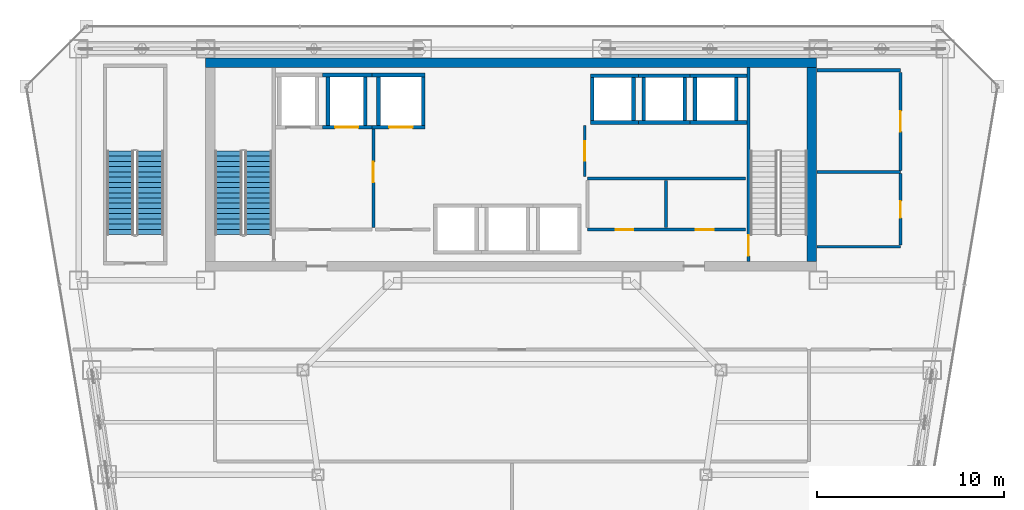
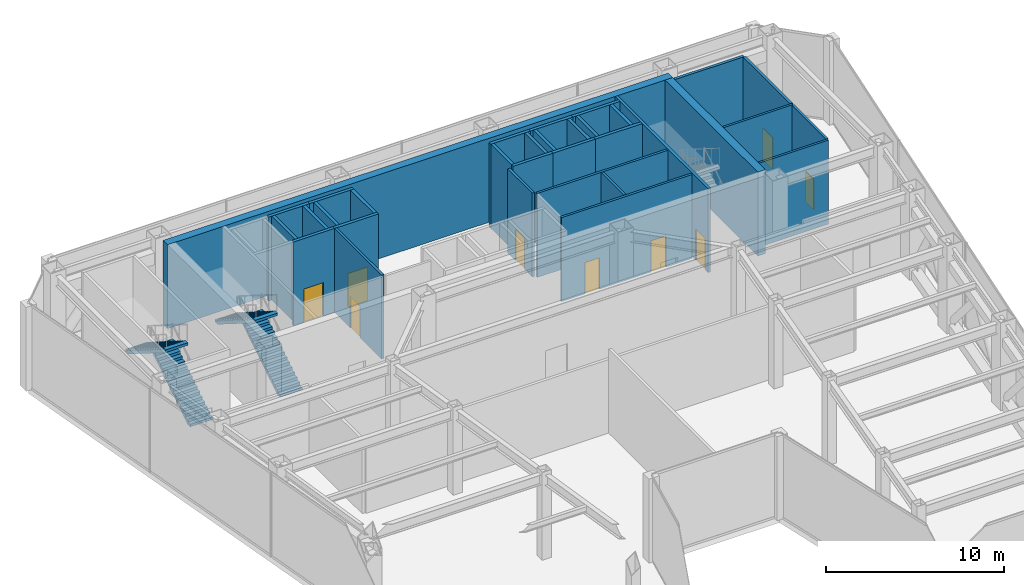
# One storey, part 26 of 30: 33 walls, 9 doors, 4 stair flights, 9 openings, 2 elements without a shape of their own.
"""IFC4 building model written with IfcOpenShell, lengths in metres."""

from ifc_helpers import new_model, si_unit, direction, frame, frame_2d, origin, place, context, subcontext, project, spatial, polyline, rectangle, outline, extrude, material, layer, layer_set, type_object, element, fill, aggregate, save


model = new_model("IFC4")

# Units and contexts
model_context = context("Model", 3, precision=1e-05, world=origin(), true_north=direction((0.0, 1.0)))
body_context = subcontext(model_context, "Body", "Model", "MODEL_VIEW")
ifc_project = project(units=[si_unit("LENGTHUNIT", "METRE"), si_unit("AREAUNIT", "SQUARE_METRE"), si_unit("VOLUMEUNIT", "CUBIC_METRE"), si_unit("PLANEANGLEUNIT", "RADIAN"), si_unit("MASSUNIT", "GRAM", prefix="KILO")], contexts=[model_context])

# Site, building, storey
site_placement = place(None, origin())
site = spatial("IfcSite", under=ifc_project, at=site_placement, CompositionType="ELEMENT")
building_placement = place(site_placement, origin())
building = spatial("IfcBuilding", under=site, at=building_placement, Name="Saevonmaru Cultural Tower", CompositionType="ELEMENT")
storey_placement = place(building_placement, frame((0.0, 0.0, 123.60009765625)))
storey = spatial("IfcBuildingStorey", under=building, at=storey_placement, Name="L26", CompositionType="ELEMENT", Elevation=123.60009765625)

# Walls
ifc_material_1 = material(Name="Concrete C60/75", Category="concrete")
ifc_layer_1 = layer(ifc_material_1, 0.5, Name="Concrete C60/75")
ifc_layer_set_1 = layer_set([ifc_layer_1], Name="Concrete C60/75")
wall_type_1 = type_object("IfcWallType", Name="WL-CORE-500", PredefinedType="SHEAR", material=ifc_layer_set_1)
wall_1_placement = place(storey_placement, frame((13.60009765625, 54.050048828125, 0.0), z_axis=(0.0, 0.0, 1.0), x_axis=(1.0, 0.0, 0.0)))
element("IfcWall", 1, at=wall_1_placement, inside=storey, type_object=wall_type_1, Name="L26 Tower RC core shear wall N", PredefinedType="SHEAR", context=body_context, shape_type="SweptSolid", body=[
    extrude(rectangle(XDim=32.699951171875, YDim=0.5, at=frame_2d((16.35009765625, 0.0))), origin(), (0.0, 0.0, 1.0), 5.75),
])
wall_2_placement = place(storey_placement, frame((46.050048828125, 43.39990234375, 0.0), z_axis=(0.0, 0.0, 1.0), x_axis=(0.0, 1.0, 0.0)))
element("IfcWall", 2, at=wall_2_placement, inside=storey, type_object=wall_type_1, Name="L26 Tower RC core shear wall E", PredefinedType="SHEAR", context=body_context, shape_type="SweptSolid", body=[
    extrude(rectangle(XDim=10.400146484375, YDim=0.5, at=frame_2d((5.2001953125, 0.0))), origin(), (0.0, 0.0, 1.0), 5.75),
])

# Wall, opening, door
ifc_material_2 = material(Name="Gypsum Fireboard Partition", Category="gypsum")
ifc_layer_2 = layer(ifc_material_2, 0.14990234375, Name="Gypsum Fireboard Partition")
ifc_layer_set_2 = layer_set([ifc_layer_2], Name="Gypsum Fireboard Partition")
wall_type_2 = type_object("IfcWallType", Name="WL-CORE-PART-150", PredefinedType="PARTITIONING", material=ifc_layer_set_2)
wall_3_placement = place(storey_placement, frame((22.580078125, 50.550048828125, 0.0), z_axis=(0.0, 0.0, 1.0), x_axis=(0.0, -1.0, 0.0)))
wall_3 = element("IfcWall", 3, at=wall_3_placement, inside=storey, type_object=wall_type_2, Name="L26 Firefighting Lift Lobby East Wall", PredefinedType="PARTITIONING", context=body_context, shape_type="SweptSolid", body=[
    extrude(rectangle(XDim=5.330078125, YDim=0.14990234375, at=frame_2d((2.6650390625, 0.0))), origin(), (0.0, 0.0, 1.0), 5.75),
])
opening_1_placement = place(wall_3_placement, frame((1.800048828125, 0.0, 0.0)))
opening_1 = element("IfcOpeningElement", 4, at=opening_1_placement, cuts=wall_3, Name="Opening FD-2", PredefinedType="OPENING", context=body_context, shape_type="SweptSolid", body=[
    extrude(rectangle(XDim=1.10009765625, YDim=2.14990234375, at=frame_2d((0.550048828125, 1.074951171875))), frame((0.0, 0.0849609375, 0.0), z_axis=(0.0, -1.0, 0.0), x_axis=(1.0, 0.0, 0.0)), (0.0, 0.0, 1.0), 0.169921875),
])
ifc_material_3 = material(Name="Satin Bronze Anodised Aluminium", Category="aluminium")
door_type_1 = type_object("IfcDoorType", Name="DR-FD60-1100", OperationType="SINGLE_SWING_LEFT", PredefinedType="DOOR", material=ifc_material_3)
door_1_placement = place(opening_1_placement, origin())
door_1 = element("IfcDoor", 5, at=door_1_placement, inside=storey, type_object=door_type_1, Name="L26 Firefighting Lift Lobby East Door", OperationType="SINGLE_SWING_LEFT", OverallHeight=2.14990234375, OverallWidth=1.10009765625, PredefinedType="DOOR", context=body_context, shape_type="SweptSolid", body=[
    extrude(rectangle(XDim=1.10009765625, YDim=2.14990234375, at=frame_2d((0.550048828125, 1.074951171875))), frame((0.0, 0.02490234375, 0.0), z_axis=(0.0, -1.0, 0.0), x_axis=(1.0, 0.0, 0.0)), (0.0, 0.0, 1.0), 0.050048828125),
])
fill(opening_1, door_1)

wall_4_placement = place(storey_placement, frame((33.89990234375, 47.949951171875, 0.0), z_axis=(0.0, 0.0, 1.0), x_axis=(0.0, 1.0, 0.0)))
wall_4 = element("IfcWall", 6, at=wall_4_placement, inside=storey, type_object=wall_type_2, Name="L26 Zone Lobby Divider", PredefinedType="PARTITIONING", context=body_context, shape_type="SweptSolid", body=[
    extrude(rectangle(XDim=2.75, YDim=0.14990234375, at=frame_2d((1.375, 0.0))), origin(), (0.0, 0.0, 1.0), 5.75),
])
opening_2_placement = place(wall_4_placement, frame((0.85009765625, 0.0, 0.0)))
opening_2 = element("IfcOpeningElement", 7, at=opening_2_placement, cuts=wall_4, Name="Opening ID-1", PredefinedType="OPENING", context=body_context, shape_type="SweptSolid", body=[
    extrude(rectangle(XDim=1.050048828125, YDim=2.14990234375, at=frame_2d((0.52490234375, 1.074951171875))), frame((0.0, 0.0849609375, 0.0), z_axis=(0.0, -1.0, 0.0), x_axis=(1.0, 0.0, 0.0)), (0.0, 0.0, 1.0), 0.169921875),
])
door_type_2 = type_object("IfcDoorType", Name="DR-INT-1050", OperationType="SINGLE_SWING_LEFT", PredefinedType="DOOR", material=ifc_material_3)
door_2_placement = place(opening_2_placement, origin())
door_2 = element("IfcDoor", 8, at=door_2_placement, inside=storey, type_object=door_type_2, Name="L26 Inter-Lobby Link Door", OperationType="SINGLE_SWING_LEFT", OverallHeight=2.14990234375, OverallWidth=1.050048828125, PredefinedType="DOOR", context=body_context, shape_type="SweptSolid", body=[
    extrude(rectangle(XDim=1.050048828125, YDim=2.14990234375, at=frame_2d((0.52490234375, 1.074951171875))), frame((0.0, 0.02490234375, 0.0), z_axis=(0.0, -1.0, 0.0), x_axis=(1.0, 0.0, 0.0)), (0.0, 0.0, 1.0), 0.050048828125),
])
fill(opening_2, door_2)

# Wall, openings, doors
wall_5_placement = place(storey_placement, frame((34.050048828125, 45.1201171875, 0.0), z_axis=(0.0, 0.0, 1.0), x_axis=(1.0, 0.0, 0.0)))
wall_5 = element("IfcWall", 9, at=wall_5_placement, inside=storey, type_object=wall_type_2, Name="L26 Core Plant South Wall", PredefinedType="PARTITIONING", context=body_context, shape_type="SweptSolid", body=[
    extrude(rectangle(XDim=8.449951171875, YDim=0.14990234375, at=frame_2d((4.22509765625, 0.0))), origin(), (0.0, 0.0, 1.0), 5.75),
])
opening_3_placement = place(wall_5_placement, frame((1.5, 0.0, 0.0)))
opening_3 = element("IfcOpeningElement", 10, at=opening_3_placement, cuts=wall_5, Name="Opening FD-4", PredefinedType="OPENING", context=body_context, shape_type="SweptSolid", body=[
    extrude(rectangle(XDim=0.949951171875, YDim=2.14990234375, at=frame_2d((0.47509765625, 1.074951171875))), frame((0.0, 0.0849609375, 0.0), z_axis=(0.0, -1.0, 0.0), x_axis=(1.0, 0.0, 0.0)), (0.0, 0.0, 1.0), 0.169921875),
])
opening_4_placement = place(wall_5_placement, frame((5.800048828125, 0.0, 0.0)))
opening_4 = element("IfcOpeningElement", 11, at=opening_4_placement, cuts=wall_5, Name="Opening FD-4", PredefinedType="OPENING", context=body_context, shape_type="SweptSolid", body=[
    extrude(rectangle(XDim=0.949951171875, YDim=2.14990234375, at=frame_2d((0.47509765625, 1.074951171875))), frame((0.0, 0.0849609375, 0.0), z_axis=(0.0, -1.0, 0.0), x_axis=(1.0, 0.0, 0.0)), (0.0, 0.0, 1.0), 0.169921875),
])
door_type_3 = type_object("IfcDoorType", Name="DR-FD60-950", OperationType="SINGLE_SWING_LEFT", PredefinedType="DOOR", material=ifc_material_3)
door_3_placement = place(opening_3_placement, origin())
door_3 = element("IfcDoor", 12, at=door_3_placement, inside=storey, type_object=door_type_3, Name="L26 Floor AHU Plant Door", OperationType="SINGLE_SWING_LEFT", OverallHeight=2.14990234375, OverallWidth=0.949951171875, PredefinedType="DOOR", context=body_context, shape_type="SweptSolid", body=[
    extrude(rectangle(XDim=0.949951171875, YDim=2.14990234375, at=frame_2d((0.47509765625, 1.074951171875))), frame((0.0, 0.02490234375, 0.0), z_axis=(0.0, -1.0, 0.0), x_axis=(1.0, 0.0, 0.0)), (0.0, 0.0, 1.0), 0.050048828125),
])
fill(opening_3, door_3)
door_4_placement = place(opening_4_placement, origin())
door_4 = element("IfcDoor", 13, at=door_4_placement, inside=storey, type_object=door_type_3, Name="L26 Housekeeping Storage Door", OperationType="SINGLE_SWING_LEFT", OverallHeight=2.14990234375, OverallWidth=0.949951171875, PredefinedType="DOOR", context=body_context, shape_type="SweptSolid", body=[
    extrude(rectangle(XDim=0.949951171875, YDim=2.14990234375, at=frame_2d((0.47509765625, 1.074951171875))), frame((0.0, 0.02490234375, 0.0), z_axis=(0.0, -1.0, 0.0), x_axis=(1.0, 0.0, 0.0)), (0.0, 0.0, 1.0), 0.050048828125),
])
fill(opening_4, door_4)

# Walls
wall_6_placement = place(storey_placement, frame((34.050048828125, 47.85009765625, 0.0), z_axis=(0.0, 0.0, 1.0), x_axis=(1.0, 0.0, 0.0)))
element("IfcWall", 14, at=wall_6_placement, inside=storey, type_object=wall_type_2, Name="L26 Core Plant North Wall", PredefinedType="PARTITIONING", context=body_context, shape_type="SweptSolid", body=[
    extrude(rectangle(XDim=8.449951171875, YDim=0.14990234375, at=frame_2d((4.22509765625, 0.0))), origin(), (0.0, 0.0, 1.0), 5.75),
])
wall_7_placement = place(storey_placement, frame((38.25, 45.219970703125, 0.0), z_axis=(0.0, 0.0, 1.0), x_axis=(0.0, 1.0, 0.0)))
element("IfcWall", 15, at=wall_7_placement, inside=storey, type_object=wall_type_2, Name="L26 Core Plant Split", PredefinedType="PARTITIONING", context=body_context, shape_type="SweptSolid", body=[
    extrude(rectangle(XDim=2.530029296875, YDim=0.14990234375, at=frame_2d((1.26513671875, 0.0))), origin(), (0.0, 0.0, 1.0), 5.75),
])
ifc_layer_3 = layer(ifc_material_2, 0.179931640625, Name="Gypsum Fireboard Partition")
ifc_layer_set_3 = layer_set([ifc_layer_3], Name="Gypsum Fireboard Partition")
wall_type_3 = type_object("IfcWallType", Name="WL-PART-PLANT-180", PredefinedType="PARTITIONING", material=ifc_layer_set_3)
wall_8_placement = place(storey_placement, frame((46.320068359375, 53.64990234375, 0.0), z_axis=(0.0, 0.0, 1.0), x_axis=(1.0, 0.0, 0.0)))
element("IfcWall", 16, at=wall_8_placement, inside=storey, type_object=wall_type_3, Name="L26 East Refuge North Wall", PredefinedType="PARTITIONING", context=body_context, shape_type="SweptSolid", body=[
    extrude(rectangle(XDim=4.47998046875, YDim=0.179931640625, at=frame_2d((2.239990234375, 0.0))), origin(), (0.0, 0.0, 1.0), 5.75),
])

# Wall, opening, door
wall_9_placement = place(storey_placement, frame((50.800048828125, 48.2900390625, 0.0), z_axis=(0.0, 0.0, 1.0), x_axis=(0.0, 1.0, 0.0)))
wall_9 = element("IfcWall", 17, at=wall_9_placement, inside=storey, type_object=wall_type_3, Name="L26 East Refuge Door Wall", PredefinedType="PARTITIONING", context=body_context, shape_type="SweptSolid", body=[
    extrude(rectangle(XDim=5.25, YDim=0.179931640625, at=frame_2d((2.625, 0.0))), origin(), (0.0, 0.0, 1.0), 5.75),
])
opening_5_placement = place(wall_9_placement, frame((2.074951171875, 0.0, 0.0)))
opening_5 = element("IfcOpeningElement", 18, at=opening_5_placement, cuts=wall_9, Name="Opening FD-2", PredefinedType="OPENING", context=body_context, shape_type="SweptSolid", body=[
    extrude(rectangle(XDim=1.10009765625, YDim=2.14990234375, at=frame_2d((0.550048828125, 1.074951171875))), frame((0.0, 0.10009765625, 0.0), z_axis=(0.0, -1.0, 0.0), x_axis=(1.0, 0.0, 0.0)), (0.0, 0.0, 1.0), 0.199951171875),
])
door_5_placement = place(opening_5_placement, origin())
door_5 = element("IfcDoor", 19, at=door_5_placement, inside=storey, type_object=door_type_1, Name="L26 East Refuge Area Fire Door", OperationType="SINGLE_SWING_LEFT", OverallHeight=2.14990234375, OverallWidth=1.10009765625, PredefinedType="DOOR", context=body_context, shape_type="SweptSolid", body=[
    extrude(rectangle(XDim=1.10009765625, YDim=2.14990234375, at=frame_2d((0.550048828125, 1.074951171875))), frame((0.0, 0.02490234375, 0.0), z_axis=(0.0, -1.0, 0.0), x_axis=(1.0, 0.0, 0.0)), (0.0, 0.0, 1.0), 0.050048828125),
])
fill(opening_5, door_5)

# Walls
ifc_layer_4 = layer(ifc_material_2, 0.139892578125, Name="Gypsum Fireboard Partition")
ifc_layer_set_4 = layer_set([ifc_layer_4], Name="Gypsum Fireboard Partition")
wall_type_4 = type_object("IfcWallType", Name="WL-PART-WET-140", PredefinedType="PARTITIONING", material=ifc_layer_set_4)
for number, where, z_axis, x_axis, name in (
    (20, (46.320068359375, 44.199951171875, 0.0), (0.0, 0.0, 1.0), (1.0, 0.0, 0.0), "L26 Refuge Washroom South Wall"),
    (21, (46.320068359375, 48.199951171875, 0.0), (0.0, 0.0, 1.0), (1.0, 0.0, 0.0), "L26 Refuge Washroom North Wall"),
):
    element("IfcWall", number, at=place(storey_placement, frame(where, z_axis=z_axis, x_axis=x_axis)), inside=storey, type_object=wall_type_4, Name=name, PredefinedType="PARTITIONING", context=body_context, shape_type="SweptSolid", body=[
        extrude(rectangle(XDim=4.47998046875, YDim=0.139892578125, at=frame_2d((2.239990234375, 0.0))), origin(), (0.0, 0.0, 1.0), 5.75),
    ])

# Wall, opening, door
wall_10_placement = place(storey_placement, frame((50.800048828125, 44.2900390625, 0.0), z_axis=(0.0, 0.0, 1.0), x_axis=(0.0, 1.0, 0.0)))
wall_10 = element("IfcWall", 22, at=wall_10_placement, inside=storey, type_object=wall_type_4, Name="L26 Refuge Washroom Door Wall", PredefinedType="PARTITIONING", context=body_context, shape_type="SweptSolid", body=[
    extrude(rectangle(XDim=3.820068359375, YDim=0.139892578125, at=frame_2d((1.91015625, 0.0))), origin(), (0.0, 0.0, 1.0), 5.75),
])
opening_6_placement = place(wall_10_placement, frame((1.4599609375, 0.0, 0.0)))
opening_6 = element("IfcOpeningElement", 23, at=opening_6_placement, cuts=wall_10, Name="Opening ID-2", PredefinedType="OPENING", context=body_context, shape_type="SweptSolid", body=[
    extrude(rectangle(XDim=0.89990234375, YDim=2.10009765625, at=frame_2d((0.449951171875, 1.050048828125))), frame((0.0, 0.080078125, 0.0), z_axis=(0.0, -1.0, 0.0), x_axis=(1.0, 0.0, 0.0)), (0.0, 0.0, 1.0), 0.159912109375),
])
ifc_material_4 = material(Name="Acoustic Stained Oak Timber", Category="wood")
door_type_4 = type_object("IfcDoorType", Name="DR-INT-900", OperationType="SINGLE_SWING_RIGHT", PredefinedType="DOOR", material=ifc_material_4)
door_6_placement = place(opening_6_placement, origin())
door_6 = element("IfcDoor", 24, at=door_6_placement, inside=storey, type_object=door_type_4, Name="L26 Refuge Accessible Washroom Door", OperationType="SINGLE_SWING_RIGHT", OverallHeight=2.10009765625, OverallWidth=0.89990234375, PredefinedType="DOOR", context=body_context, shape_type="SweptSolid", body=[
    extrude(rectangle(XDim=0.89990234375, YDim=2.10009765625, at=frame_2d((0.449951171875, 1.050048828125))), frame((0.0, 0.02490234375, 0.0), z_axis=(0.0, -1.0, 0.0), x_axis=(1.0, 0.0, 0.0)), (0.0, 0.0, 1.0), 0.050048828125),
])
fill(opening_6, door_6)

ifc_material_5 = material(Name="Concrete C40/50", Category="concrete")
ifc_layer_5 = layer(ifc_material_5, 0.199951171875, Name="Concrete C40/50")
ifc_layer_set_5 = layer_set([ifc_layer_5], Name="Concrete C40/50")
wall_type_5 = type_object("IfcWallType", Name="WL-SHAFT-200", PredefinedType="SHEAR", material=ifc_layer_set_5)
wall_11_placement = place(storey_placement, frame((19.85009765625, 50.60009765625, 0.0), z_axis=(0.0, 0.0, 1.0), x_axis=(1.0, 0.0, 0.0)))
wall_11 = element("IfcWall", 25, at=wall_11_placement, inside=storey, type_object=wall_type_5, Name="L26 Lift FFL-2 Hoistway Wall S", PredefinedType="SHEAR", context=body_context, shape_type="SweptSolid", body=[
    extrude(rectangle(XDim=2.64990234375, YDim=0.199951171875, at=frame_2d((1.324951171875, 0.0))), origin(), (0.0, 0.0, 1.0), 5.75),
])
opening_7_placement = place(wall_11_placement, frame((0.675048828125, 0.0, 0.0)))
opening_7 = element("IfcOpeningElement", 26, at=opening_7_placement, cuts=wall_11, Name="Opening LD-2", PredefinedType="OPENING", context=body_context, shape_type="SweptSolid", body=[
    extrude(rectangle(XDim=1.25, YDim=2.300048828125, at=frame_2d((0.625, 1.14990234375))), frame((0.0, 0.10986328125, 0.0), z_axis=(0.0, -1.0, 0.0), x_axis=(1.0, 0.0, 0.0)), (0.0, 0.0, 1.0), 0.219970703125),
])
ifc_material_6 = material(Name="Stainless Steel 316", Category="steel")
door_type_5 = type_object("IfcDoorType", Name="DR-LIFT-1250", OperationType="SLIDING_TO_LEFT", PredefinedType="DOOR", material=ifc_material_6)
door_7_placement = place(opening_7_placement, origin())
door_7 = element("IfcDoor", 27, at=door_7_placement, inside=storey, type_object=door_type_5, Name="L26 Lift FFL-2 Sliding Landing Door", OperationType="SLIDING_TO_LEFT", OverallHeight=2.300048828125, OverallWidth=1.25, PredefinedType="DOOR", context=body_context, shape_type="SweptSolid", body=[
    extrude(rectangle(XDim=1.25, YDim=2.300048828125, at=frame_2d((0.625, 1.14990234375))), frame((0.0, 0.02490234375, 0.0), z_axis=(0.0, -1.0, 0.0), x_axis=(1.0, 0.0, 0.0)), (0.0, 0.0, 1.0), 0.050048828125),
])
fill(opening_7, door_7)

# Walls
wall_12_placement = place(storey_placement, frame((19.85009765625, 53.39990234375, 0.0), z_axis=(0.0, 0.0, 1.0), x_axis=(1.0, 0.0, 0.0)))
element("IfcWall", 28, at=wall_12_placement, inside=storey, type_object=wall_type_5, Name="L26 Lift FFL-2 Hoistway Wall N", PredefinedType="SHEAR", context=body_context, shape_type="SweptSolid", body=[
    extrude(rectangle(XDim=2.64990234375, YDim=0.199951171875, at=frame_2d((1.324951171875, 0.0))), origin(), (0.0, 0.0, 1.0), 5.75),
])
for number, where, z_axis, x_axis, name in (
    (29, (20.14990234375, 50.699951171875, 0.0), (0.0, 0.0, 1.0), (0.0, 1.0, 0.0), "L26 Lift FFL-2 Hoistway Wall W"),
    (30, (22.14990234375, 50.699951171875, 0.0), (0.0, 0.0, 1.0), (0.0, 1.0, 0.0), "L26 Lift FFL-2 Hoistway Wall E"),
):
    element("IfcWall", number, at=place(storey_placement, frame(where, z_axis=z_axis, x_axis=x_axis)), inside=storey, type_object=wall_type_5, Name=name, PredefinedType="SHEAR", context=body_context, shape_type="SweptSolid", body=[
        extrude(rectangle(XDim=2.60009765625, YDim=0.199951171875, at=frame_2d((1.300048828125, 0.0))), origin(), (0.0, 0.0, 1.0), 5.75),
    ])

# Wall, opening, door
wall_13_placement = place(storey_placement, frame((22.5, 50.60009765625, 0.0), z_axis=(0.0, 0.0, 1.0), x_axis=(1.0, 0.0, 0.0)))
wall_13 = element("IfcWall", 31, at=wall_13_placement, inside=storey, type_object=wall_type_5, Name="L26 Lift GL-1 Hoistway Wall S", PredefinedType="SHEAR", context=body_context, shape_type="SweptSolid", body=[
    extrude(rectangle(XDim=2.85009765625, YDim=0.199951171875, at=frame_2d((1.425048828125, 0.0))), origin(), (0.0, 0.0, 1.0), 5.75),
])
opening_8_placement = place(wall_13_placement, frame((0.925048828125, 0.0, 0.0)))
opening_8 = element("IfcOpeningElement", 32, at=opening_8_placement, cuts=wall_13, Name="Opening LD-2", PredefinedType="OPENING", context=body_context, shape_type="SweptSolid", body=[
    extrude(rectangle(XDim=1.25, YDim=2.300048828125, at=frame_2d((0.625, 1.14990234375))), frame((0.0, 0.10986328125, 0.0), z_axis=(0.0, -1.0, 0.0), x_axis=(1.0, 0.0, 0.0)), (0.0, 0.0, 1.0), 0.219970703125),
])
door_8_placement = place(opening_8_placement, origin())
door_8 = element("IfcDoor", 33, at=door_8_placement, inside=storey, type_object=door_type_5, Name="L26 Lift GL-1 Sliding Landing Door", OperationType="SLIDING_TO_LEFT", OverallHeight=2.300048828125, OverallWidth=1.25, PredefinedType="DOOR", context=body_context, shape_type="SweptSolid", body=[
    extrude(rectangle(XDim=1.25, YDim=2.300048828125, at=frame_2d((0.625, 1.14990234375))), frame((0.0, 0.02490234375, 0.0), z_axis=(0.0, -1.0, 0.0), x_axis=(1.0, 0.0, 0.0)), (0.0, 0.0, 1.0), 0.050048828125),
])
fill(opening_8, door_8)

# Walls
wall_14_placement = place(storey_placement, frame((22.5, 53.39990234375, 0.0), z_axis=(0.0, 0.0, 1.0), x_axis=(1.0, 0.0, 0.0)))
element("IfcWall", 34, at=wall_14_placement, inside=storey, type_object=wall_type_5, Name="L26 Lift GL-1 Hoistway Wall N", PredefinedType="SHEAR", context=body_context, shape_type="SweptSolid", body=[
    extrude(rectangle(XDim=2.85009765625, YDim=0.199951171875, at=frame_2d((1.425048828125, 0.0))), origin(), (0.0, 0.0, 1.0), 5.75),
])
for number, where, z_axis, x_axis, name in (
    (35, (22.85009765625, 50.699951171875, 0.0), (0.0, 0.0, 1.0), (0.0, 1.0, 0.0), "L26 Lift GL-1 Hoistway Wall W"),
    (36, (25.25, 50.699951171875, 0.0), (0.0, 0.0, 1.0), (0.0, 1.0, 0.0), "L26 Lift GL-1 Hoistway Wall E"),
):
    element("IfcWall", number, at=place(storey_placement, frame(where, z_axis=z_axis, x_axis=x_axis)), inside=storey, type_object=wall_type_5, Name=name, PredefinedType="SHEAR", context=body_context, shape_type="SweptSolid", body=[
        extrude(rectangle(XDim=2.60009765625, YDim=0.199951171875, at=frame_2d((1.300048828125, 0.0))), origin(), (0.0, 0.0, 1.0), 5.75),
    ])
for number, where, z_axis, x_axis, name in (
    (37, (34.199951171875, 50.85009765625, 0.0), (0.0, 0.0, 1.0), (1.0, 0.0, 0.0), "L26 Lift PL-H1 Hoistway Wall S"),
    (38, (34.199951171875, 53.35009765625, 0.0), (0.0, 0.0, 1.0), (1.0, 0.0, 0.0), "L26 Lift PL-H1 Hoistway Wall N"),
):
    element("IfcWall", number, at=place(storey_placement, frame(where, z_axis=z_axis, x_axis=x_axis)), inside=storey, type_object=wall_type_5, Name=name, PredefinedType="SHEAR", context=body_context, shape_type="SweptSolid", body=[
        extrude(rectangle(XDim=2.574951171875, YDim=0.199951171875, at=frame_2d((1.28759765625, 0.0))), origin(), (0.0, 0.0, 1.0), 5.75),
    ])
for number, where, z_axis, x_axis, name in (
    (39, (34.300048828125, 50.949951171875, 0.0), (0.0, 0.0, 1.0), (0.0, 1.0, 0.0), "L26 Lift PL-H1 Hoistway Wall W"),
    (40, (36.5, 50.949951171875, 0.0), (0.0, 0.0, 1.0), (0.0, 1.0, 0.0), "L26 Lift PL-H1 Hoistway Wall E"),
):
    element("IfcWall", number, at=place(storey_placement, frame(where, z_axis=z_axis, x_axis=x_axis)), inside=storey, type_object=wall_type_5, Name=name, PredefinedType="SHEAR", context=body_context, shape_type="SweptSolid", body=[
        extrude(rectangle(XDim=2.300048828125, YDim=0.199951171875, at=frame_2d((1.14990234375, 0.0))), origin(), (0.0, 0.0, 1.0), 5.75),
    ])
for number, where, z_axis, x_axis, name in (
    (41, (36.77490234375, 50.85009765625, 0.0), (0.0, 0.0, 1.0), (1.0, 0.0, 0.0), "L26 Lift PL-H2 Hoistway Wall S"),
    (42, (36.77490234375, 53.35009765625, 0.0), (0.0, 0.0, 1.0), (1.0, 0.0, 0.0), "L26 Lift PL-H2 Hoistway Wall N"),
):
    element("IfcWall", number, at=place(storey_placement, frame(where, z_axis=z_axis, x_axis=x_axis)), inside=storey, type_object=wall_type_5, Name=name, PredefinedType="SHEAR", context=body_context, shape_type="SweptSolid", body=[
        extrude(rectangle(XDim=2.75, YDim=0.199951171875, at=frame_2d((1.375, 0.0))), origin(), (0.0, 0.0, 1.0), 5.75),
    ])
for number, where, z_axis, x_axis, name in (
    (43, (37.050048828125, 50.949951171875, 0.0), (0.0, 0.0, 1.0), (0.0, 1.0, 0.0), "L26 Lift PL-H2 Hoistway Wall W"),
    (44, (39.25, 50.949951171875, 0.0), (0.0, 0.0, 1.0), (0.0, 1.0, 0.0), "L26 Lift PL-H2 Hoistway Wall E"),
):
    element("IfcWall", number, at=place(storey_placement, frame(where, z_axis=z_axis, x_axis=x_axis)), inside=storey, type_object=wall_type_5, Name=name, PredefinedType="SHEAR", context=body_context, shape_type="SweptSolid", body=[
        extrude(rectangle(XDim=2.300048828125, YDim=0.199951171875, at=frame_2d((1.14990234375, 0.0))), origin(), (0.0, 0.0, 1.0), 5.75),
    ])
for number, where, z_axis, x_axis, name in (
    (45, (39.52490234375, 50.85009765625, 0.0), (0.0, 0.0, 1.0), (1.0, 0.0, 0.0), "L26 Lift PL-H3 Hoistway Wall S"),
    (46, (39.52490234375, 53.35009765625, 0.0), (0.0, 0.0, 1.0), (1.0, 0.0, 0.0), "L26 Lift PL-H3 Hoistway Wall N"),
):
    element("IfcWall", number, at=place(storey_placement, frame(where, z_axis=z_axis, x_axis=x_axis)), inside=storey, type_object=wall_type_5, Name=name, PredefinedType="SHEAR", context=body_context, shape_type="SweptSolid", body=[
        extrude(rectangle(XDim=3.045166015625, YDim=0.199951171875, at=frame_2d((1.5224609375, 0.0))), origin(), (0.0, 0.0, 1.0), 5.75),
    ])
for number, where, z_axis, x_axis, name in (
    (47, (39.800048828125, 50.949951171875, 0.0), (0.0, 0.0, 1.0), (0.0, 1.0, 0.0), "L26 Lift PL-H3 Hoistway Wall W"),
    (48, (42.0, 50.949951171875, 0.0), (0.0, 0.0, 1.0), (0.0, 1.0, 0.0), "L26 Lift PL-H3 Hoistway Wall E"),
):
    element("IfcWall", number, at=place(storey_placement, frame(where, z_axis=z_axis, x_axis=x_axis)), inside=storey, type_object=wall_type_5, Name=name, PredefinedType="SHEAR", context=body_context, shape_type="SweptSolid", body=[
        extrude(rectangle(XDim=2.300048828125, YDim=0.199951171875, at=frame_2d((1.14990234375, 0.0))), origin(), (0.0, 0.0, 1.0), 5.75),
    ])

# Wall, opening, door
ifc_layer_6 = layer(ifc_material_5, 0.179931640625, Name="Concrete C40/50")
ifc_layer_set_6 = layer_set([ifc_layer_6], Name="Concrete C40/50")
wall_type_6 = type_object("IfcWallType", Name="WL-STSHAFT-180", PredefinedType="SHEAR", material=ifc_layer_set_6)
wall_15_placement = place(storey_placement, frame((42.659912109375, 53.800048828125, 0.0), z_axis=(0.0, 0.0, 1.0), x_axis=(0.0, -1.0, 0.0)))
wall_15 = element("IfcWall", 49, at=wall_15_placement, inside=storey, type_object=wall_type_6, Name="L26 Stair ST-2 Structural Shaft Wall 1", PredefinedType="SHEAR", context=body_context, shape_type="SweptSolid", body=[
    extrude(rectangle(XDim=10.400146484375, YDim=0.179931640625, at=frame_2d((5.2001953125, 0.0))), origin(), (0.0, 0.0, 1.0), 5.75),
])
opening_9_placement = place(wall_15_placement, frame((8.989990234375, 0.0, 0.0)))
opening_9 = element("IfcOpeningElement", 50, at=opening_9_placement, cuts=wall_15, Name="Opening FD-2", PredefinedType="OPENING", context=body_context, shape_type="SweptSolid", body=[
    extrude(rectangle(XDim=1.10009765625, YDim=2.14990234375, at=frame_2d((0.550048828125, 1.074951171875))), frame((0.0, 0.10009765625, 0.0), z_axis=(0.0, -1.0, 0.0), x_axis=(1.0, 0.0, 0.0)), (0.0, 0.0, 1.0), 0.199951171875),
])
door_9_placement = place(opening_9_placement, origin())
door_9 = element("IfcDoor", 51, at=door_9_placement, inside=storey, type_object=door_type_1, Name="L26 Protected Stair ST-2 Fire Door", OperationType="SINGLE_SWING_LEFT", OverallHeight=2.14990234375, OverallWidth=1.10009765625, PredefinedType="DOOR", context=body_context, shape_type="SweptSolid", body=[
    extrude(rectangle(XDim=1.10009765625, YDim=2.14990234375, at=frame_2d((0.550048828125, 1.074951171875))), frame((0.0, 0.02490234375, 0.0), z_axis=(0.0, -1.0, 0.0), x_axis=(1.0, 0.0, 0.0)), (0.0, 0.0, 1.0), 0.050048828125),
])
fill(opening_9, door_9)

# Stair, stair flights
stair_type = type_object("IfcStairType", Name="STR-DOGLEG-RC", PredefinedType="HALF_TURN_STAIR", material=ifc_material_5)
stair_1_placement = place(storey_placement, origin())
stair_1 = element("IfcStair", 52, at=stair_1_placement, inside=storey, type_object=stair_type, Name="L26 Protected exit stair ST-1", PredefinedType="HALF_TURN_STAIR")
ifc_material_7 = material(Name="Precast concrete C40/50", Category="concrete")
stair_flight_type = type_object("IfcStairFlightType", Name="STF-PRECAST-180", PredefinedType="STRAIGHT", material=ifc_material_7)
stair_flight_1_placement = place(storey_placement, frame((16.425048828125, 44.85009765625, 0.0), z_axis=(0.0, 0.0, 1.0), x_axis=(0.0, 1.0, 0.0)))
stair_flight_1 = element("IfcStairFlight", 53, at=stair_flight_1_placement, type_object=stair_flight_type, Name="ST-1-L26 flight 1", NumberOfRisers=17, NumberOfTreads=16, PredefinedType="STRAIGHT", RiserHeight=0.176470588, TreadLength=0.28, context=body_context, shape_type="SweptSolid", body=[
    extrude(outline(polyline([(0.0, 0.0), (0.0, 0.176513671875), (0.280029296875, 0.176513671875), (0.280029296875, 0.35302734375), (0.56005859375, 0.35302734375), (0.56005859375, 0.529296875), (0.840087890625, 0.529296875), (0.840087890625, 0.705810546875), (1.1201171875, 0.705810546875), (1.1201171875, 0.88232421875), (1.39990234375, 0.88232421875), (1.39990234375, 1.058837890625), (1.679931640625, 1.058837890625), (1.679931640625, 1.2353515625), (1.9599609375, 1.2353515625), (1.9599609375, 1.411865234375), (2.239990234375, 1.411865234375), (2.239990234375, 1.588134765625), (2.52001953125, 1.588134765625), (2.52001953125, 1.7646484375), (2.800048828125, 1.7646484375), (2.800048828125, 1.941162109375), (3.080078125, 1.941162109375), (3.080078125, 2.11767578125), (3.360107421875, 2.11767578125), (3.360107421875, 2.294189453125), (3.639892578125, 2.294189453125), (3.639892578125, 2.470703125), (3.919921875, 2.470703125), (3.919921875, 2.64697265625), (4.199951171875, 2.64697265625), (4.199951171875, 2.823486328125), (4.47998046875, 2.823486328125), (4.47998046875, 3.0), (4.47998046875, 2.646240234375), (0.28125, 0.0), (0.0, 0.0)])), frame((0.0, 0.72509765625, 0.0), z_axis=(0.0, -1.0, 0.0), x_axis=(1.0, 0.0, 0.0)), (0.0, 0.0, 1.0), 1.449951171875),
])
stair_flight_2_placement = place(storey_placement, frame((14.824951171875, 49.330078125, 3.0), z_axis=(0.0, 0.0, 1.0), x_axis=(0.0, -1.0, 0.0)))
stair_flight_2 = element("IfcStairFlight", 54, at=stair_flight_2_placement, type_object=stair_flight_type, Name="ST-1-L26 flight 2", NumberOfRisers=17, NumberOfTreads=16, PredefinedType="STRAIGHT", RiserHeight=0.176470588, TreadLength=0.28, context=body_context, shape_type="SweptSolid", body=[
    extrude(outline(polyline([(0.0, 0.0), (0.0, 0.176513671875), (0.280029296875, 0.176513671875), (0.280029296875, 0.35302734375), (0.56005859375, 0.35302734375), (0.56005859375, 0.529296875), (0.840087890625, 0.529296875), (0.840087890625, 0.705810546875), (1.1201171875, 0.705810546875), (1.1201171875, 0.88232421875), (1.39990234375, 0.88232421875), (1.39990234375, 1.058837890625), (1.679931640625, 1.058837890625), (1.679931640625, 1.2353515625), (1.9599609375, 1.2353515625), (1.9599609375, 1.411865234375), (2.239990234375, 1.411865234375), (2.239990234375, 1.588134765625), (2.52001953125, 1.588134765625), (2.52001953125, 1.7646484375), (2.800048828125, 1.7646484375), (2.800048828125, 1.941162109375), (3.080078125, 1.941162109375), (3.080078125, 2.11767578125), (3.360107421875, 2.11767578125), (3.360107421875, 2.294189453125), (3.639892578125, 2.294189453125), (3.639892578125, 2.470703125), (3.919921875, 2.470703125), (3.919921875, 2.64697265625), (4.199951171875, 2.64697265625), (4.199951171875, 2.823486328125), (4.47998046875, 2.823486328125), (4.47998046875, 3.0), (4.47998046875, 2.646240234375), (0.28125, 0.0), (0.0, 0.0)])), frame((0.0, 0.72509765625, 0.0), z_axis=(0.0, -1.0, 0.0), x_axis=(1.0, 0.0, 0.0)), (0.0, 0.0, 1.0), 1.449951171875),
])
aggregate(stair_1, [stair_flight_1, stair_flight_2])

stair_2_placement = place(storey_placement, origin())
stair_2 = element("IfcStair", 55, at=stair_2_placement, inside=storey, type_object=stair_type, Name="L26 Protected exit stair ST-3", PredefinedType="HALF_TURN_STAIR")
stair_flight_3_placement = place(storey_placement, frame((10.625, 44.85009765625, 0.0), z_axis=(0.0, 0.0, 1.0), x_axis=(0.0, 1.0, 0.0)))
stair_flight_3 = element("IfcStairFlight", 56, at=stair_flight_3_placement, type_object=stair_flight_type, Name="ST-3-L26 flight 1", NumberOfRisers=17, NumberOfTreads=16, PredefinedType="STRAIGHT", RiserHeight=0.176470588, TreadLength=0.28, context=body_context, shape_type="SweptSolid", body=[
    extrude(outline(polyline([(0.0, 0.0), (0.0, 0.176513671875), (0.280029296875, 0.176513671875), (0.280029296875, 0.35302734375), (0.56005859375, 0.35302734375), (0.56005859375, 0.529296875), (0.840087890625, 0.529296875), (0.840087890625, 0.705810546875), (1.1201171875, 0.705810546875), (1.1201171875, 0.88232421875), (1.39990234375, 0.88232421875), (1.39990234375, 1.058837890625), (1.679931640625, 1.058837890625), (1.679931640625, 1.2353515625), (1.9599609375, 1.2353515625), (1.9599609375, 1.411865234375), (2.239990234375, 1.411865234375), (2.239990234375, 1.588134765625), (2.52001953125, 1.588134765625), (2.52001953125, 1.7646484375), (2.800048828125, 1.7646484375), (2.800048828125, 1.941162109375), (3.080078125, 1.941162109375), (3.080078125, 2.11767578125), (3.360107421875, 2.11767578125), (3.360107421875, 2.294189453125), (3.639892578125, 2.294189453125), (3.639892578125, 2.470703125), (3.919921875, 2.470703125), (3.919921875, 2.64697265625), (4.199951171875, 2.64697265625), (4.199951171875, 2.823486328125), (4.47998046875, 2.823486328125), (4.47998046875, 3.0), (4.47998046875, 2.646240234375), (0.28125, 0.0), (0.0, 0.0)])), frame((0.0, 0.72509765625, 0.0), z_axis=(0.0, -1.0, 0.0), x_axis=(1.0, 0.0, 0.0)), (0.0, 0.0, 1.0), 1.449951171875),
])
stair_flight_4_placement = place(storey_placement, frame((9.02490234375, 49.330078125, 3.0), z_axis=(0.0, 0.0, 1.0), x_axis=(0.0, -1.0, 0.0)))
stair_flight_4 = element("IfcStairFlight", 57, at=stair_flight_4_placement, type_object=stair_flight_type, Name="ST-3-L26 flight 2", NumberOfRisers=17, NumberOfTreads=16, PredefinedType="STRAIGHT", RiserHeight=0.176470588, TreadLength=0.28, context=body_context, shape_type="SweptSolid", body=[
    extrude(outline(polyline([(0.0, 0.0), (0.0, 0.176513671875), (0.280029296875, 0.176513671875), (0.280029296875, 0.35302734375), (0.56005859375, 0.35302734375), (0.56005859375, 0.529296875), (0.840087890625, 0.529296875), (0.840087890625, 0.705810546875), (1.1201171875, 0.705810546875), (1.1201171875, 0.88232421875), (1.39990234375, 0.88232421875), (1.39990234375, 1.058837890625), (1.679931640625, 1.058837890625), (1.679931640625, 1.2353515625), (1.9599609375, 1.2353515625), (1.9599609375, 1.411865234375), (2.239990234375, 1.411865234375), (2.239990234375, 1.588134765625), (2.52001953125, 1.588134765625), (2.52001953125, 1.7646484375), (2.800048828125, 1.7646484375), (2.800048828125, 1.941162109375), (3.080078125, 1.941162109375), (3.080078125, 2.11767578125), (3.360107421875, 2.11767578125), (3.360107421875, 2.294189453125), (3.639892578125, 2.294189453125), (3.639892578125, 2.470703125), (3.919921875, 2.470703125), (3.919921875, 2.64697265625), (4.199951171875, 2.64697265625), (4.199951171875, 2.823486328125), (4.47998046875, 2.823486328125), (4.47998046875, 3.0), (4.47998046875, 2.646240234375), (0.28125, 0.0), (0.0, 0.0)])), frame((0.0, 0.72509765625, 0.0), z_axis=(0.0, -1.0, 0.0), x_axis=(1.0, 0.0, 0.0)), (0.0, 0.0, 1.0), 1.449951171875),
])
aggregate(stair_2, [stair_flight_3, stair_flight_4])

save(model, "model.ifc")
